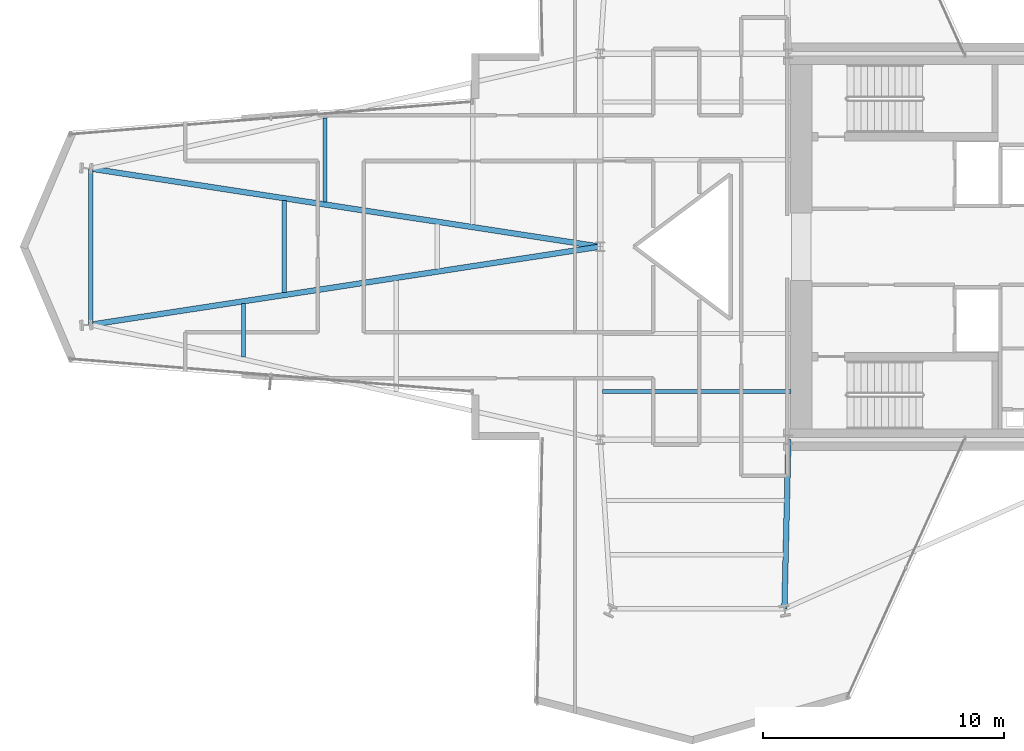
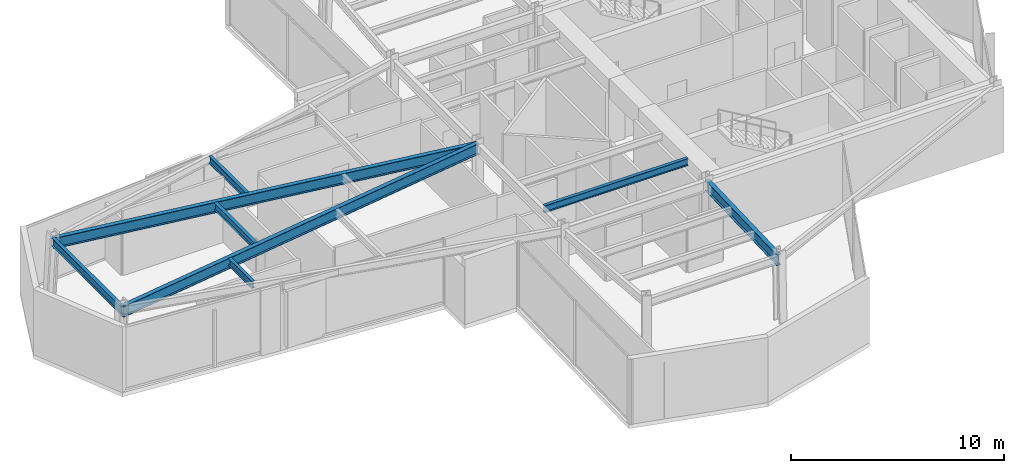
# One storey, part 6 of 25: 8 beams.
"""IFC4 building model written with IfcOpenShell, lengths in metres."""

from ifc_helpers import new_model, si_unit, direction, frame, origin, origin_2d, place, context, subcontext, project, spatial, i_section, extrude, material, material_profile, profile_set, type_object, element, save


model = new_model("IFC4")

# Units and contexts
model_context = context("Model", 3, precision=1e-05, world=origin(), true_north=direction((0.0, 1.0)))
body_context = subcontext(model_context, "Body", "Model", "MODEL_VIEW")
ifc_project = project(units=[si_unit("LENGTHUNIT", "METRE"), si_unit("AREAUNIT", "SQUARE_METRE"), si_unit("VOLUMEUNIT", "CUBIC_METRE"), si_unit("PLANEANGLEUNIT", "RADIAN"), si_unit("MASSUNIT", "GRAM", prefix="KILO")], contexts=[model_context])

# Site, building, storey
site_placement = place(None, origin())
site = spatial("IfcSite", under=ifc_project, at=site_placement, CompositionType="ELEMENT")
building_placement = place(site_placement, origin())
building = spatial("IfcBuilding", under=site, at=building_placement, Name="Veymaron Broadcast Tower", CompositionType="ELEMENT")
storey_placement = place(building_placement, frame((0.0, 0.0, 102.60009765625)))
storey = spatial("IfcBuildingStorey", under=building, at=storey_placement, Name="L23", CompositionType="ELEMENT", Elevation=102.60009765625)

# Beams
ifc_material = material(Name="Structural steel ASTM A992 Gr 50", Category="steel")
ifc_material_profile_1 = material_profile(ifc_material, i_section(OverallWidth=0.22998046875, OverallDepth=0.616943359375, WebThickness=0.01318359375, FlangeThickness=0.022216796875, at=origin_2d()), Name="W610X140")
ifc_profile_set_1 = profile_set([ifc_material_profile_1], Name="Structural steel ASTM A992 Gr 50")
beam_type_1 = type_object("IfcBeamType", Name="BM-FG1", PredefinedType="BEAM", material=ifc_profile_set_1)
for number, where, z_axis, x_axis, name in (
    (1, (10.076904296875, 20.764892578125, 3.42138671875), (0.98847409767, 0.151390086318, 0.0), (-0.151390086318, 0.98847409767, 0.0), "L23 primary structural floor girder"),
    (2, (10.076904296875, 27.235107421875, 3.42138671875), (0.98847409767, -0.151390086318, 0.0), (0.151390086318, 0.98847409767, 0.0), "L23 primary structural floor girder"),
):
    element("IfcBeam", number, at=place(storey_placement, frame(where, z_axis=z_axis, x_axis=x_axis)), inside=storey, type_object=beam_type_1, Name=name, PredefinedType="BEAM", context=body_context, shape_type="SweptSolid", body=[
        extrude(i_section(OverallWidth=0.22998046875, OverallDepth=0.616943359375, WebThickness=0.01318359375, FlangeThickness=0.022216796875, at=origin_2d()), origin(), (0.0, 0.0, 1.0), 21.369384765625),
    ])
beam_1_placement = place(storey_placement, frame((39.0, 16.0, 3.42138671875), z_axis=(-0.02353682054, -0.999722970667, 0.0), x_axis=(0.999722970667, -0.02353682054, 0.0)))
element("IfcBeam", 3, at=beam_1_placement, inside=storey, type_object=beam_type_1, Name="L23 primary structural floor girder", PredefinedType="BEAM", context=body_context, shape_type="SweptSolid", body=[
    extrude(i_section(OverallWidth=0.22998046875, OverallDepth=0.616943359375, WebThickness=0.01318359375, FlangeThickness=0.022216796875, at=origin_2d()), origin(), (0.0, 0.0, 1.0), 7.011962890625),
])
ifc_material_profile_2 = material_profile(ifc_material, i_section(OverallWidth=0.177978515625, OverallDepth=0.406982421875, WebThickness=0.0078125, FlangeThickness=0.0126953125, at=origin_2d()), Name="W410X60")
ifc_profile_set_2 = profile_set([ifc_material_profile_2], Name="Structural steel ASTM A992 Gr 50")
beam_type_2 = type_object("IfcBeamType", Name="BM-JS1", PredefinedType="JOIST", material=ifc_profile_set_2)
beam_2_placement = place(storey_placement, frame((16.413818359375, 19.435546875, 3.5263671875), z_axis=(0.0, 1.0, 0.0), x_axis=(-1.0, 0.0, 0.0)))
element("IfcBeam", 4, at=beam_2_placement, inside=storey, type_object=beam_type_2, Name="L23 Arm-A secondary joist 1S", PredefinedType="JOIST", context=body_context, shape_type="SweptSolid", body=[
    extrude(i_section(OverallWidth=0.177978515625, OverallDepth=0.406982421875, WebThickness=0.0078125, FlangeThickness=0.0126953125, at=origin_2d()), origin(), (0.0, 0.0, 1.0), 2.199951171875),
])
beam_3_placement = place(storey_placement, frame((18.103759765625, 22.09423828125, 3.5263671875), z_axis=(0.0, 1.0, 0.0), x_axis=(-1.0, 0.0, 0.0)))
element("IfcBeam", 5, at=beam_3_placement, inside=storey, type_object=beam_type_2, Name="L23 Arm-A secondary joist 1M", PredefinedType="JOIST", context=body_context, shape_type="SweptSolid", body=[
    extrude(i_section(OverallWidth=0.177978515625, OverallDepth=0.406982421875, WebThickness=0.0078125, FlangeThickness=0.0126953125, at=origin_2d()), origin(), (0.0, 0.0, 1.0), 3.8115234375),
])
beam_4_placement = place(storey_placement, frame((19.793701171875, 25.846923828125, 3.5263671875), z_axis=(0.0, 1.0, 0.0), x_axis=(-1.0, 0.0, 0.0)))
element("IfcBeam", 6, at=beam_4_placement, inside=storey, type_object=beam_type_2, Name="L23 Arm-A secondary joist 1N", PredefinedType="JOIST", context=body_context, shape_type="SweptSolid", body=[
    extrude(i_section(OverallWidth=0.177978515625, OverallDepth=0.406982421875, WebThickness=0.0078125, FlangeThickness=0.0126953125, at=origin_2d()), origin(), (0.0, 0.0, 1.0), 3.47998046875),
])
beam_5_placement = place(storey_placement, frame((31.300048828125, 18.0, 3.5263671875), z_axis=(1.0, 0.0, 0.0), x_axis=(0.0, 1.0, 0.0)))
element("IfcBeam", 7, at=beam_5_placement, inside=storey, type_object=beam_type_2, Name="L23 Hub secondary joist 1", PredefinedType="JOIST", context=body_context, shape_type="SweptSolid", body=[
    extrude(i_section(OverallWidth=0.177978515625, OverallDepth=0.406982421875, WebThickness=0.0078125, FlangeThickness=0.0126953125, at=origin_2d()), origin(), (0.0, 0.0, 1.0), 7.800048828125),
])
ifc_material_profile_3 = material_profile(ifc_material, i_section(OverallWidth=0.19091796875, OverallDepth=0.4599609375, WebThickness=0.010009765625, FlangeThickness=0.01611328125, at=origin_2d()), Name="W460X82")
ifc_profile_set_3 = profile_set([ifc_material_profile_3], Name="Structural steel ASTM A992 Gr 50")
beam_type_3 = type_object("IfcBeamType", Name="BM-SP1", PredefinedType="SPANDREL", material=ifc_profile_set_3)
beam_6_placement = place(storey_placement, frame((10.076904296875, 20.764892578125, 3.5), z_axis=(0.0, 1.0, 0.0), x_axis=(-1.0, 0.0, 0.0)))
element("IfcBeam", 8, at=beam_6_placement, inside=storey, type_object=beam_type_3, Name="L23 primary structural floor girder", PredefinedType="SPANDREL", context=body_context, shape_type="SweptSolid", body=[
    extrude(i_section(OverallWidth=0.19091796875, OverallDepth=0.4599609375, WebThickness=0.010009765625, FlangeThickness=0.01611328125, at=origin_2d()), origin(), (0.0, 0.0, 1.0), 6.47021484375),
])

save(model, "model.ifc")
